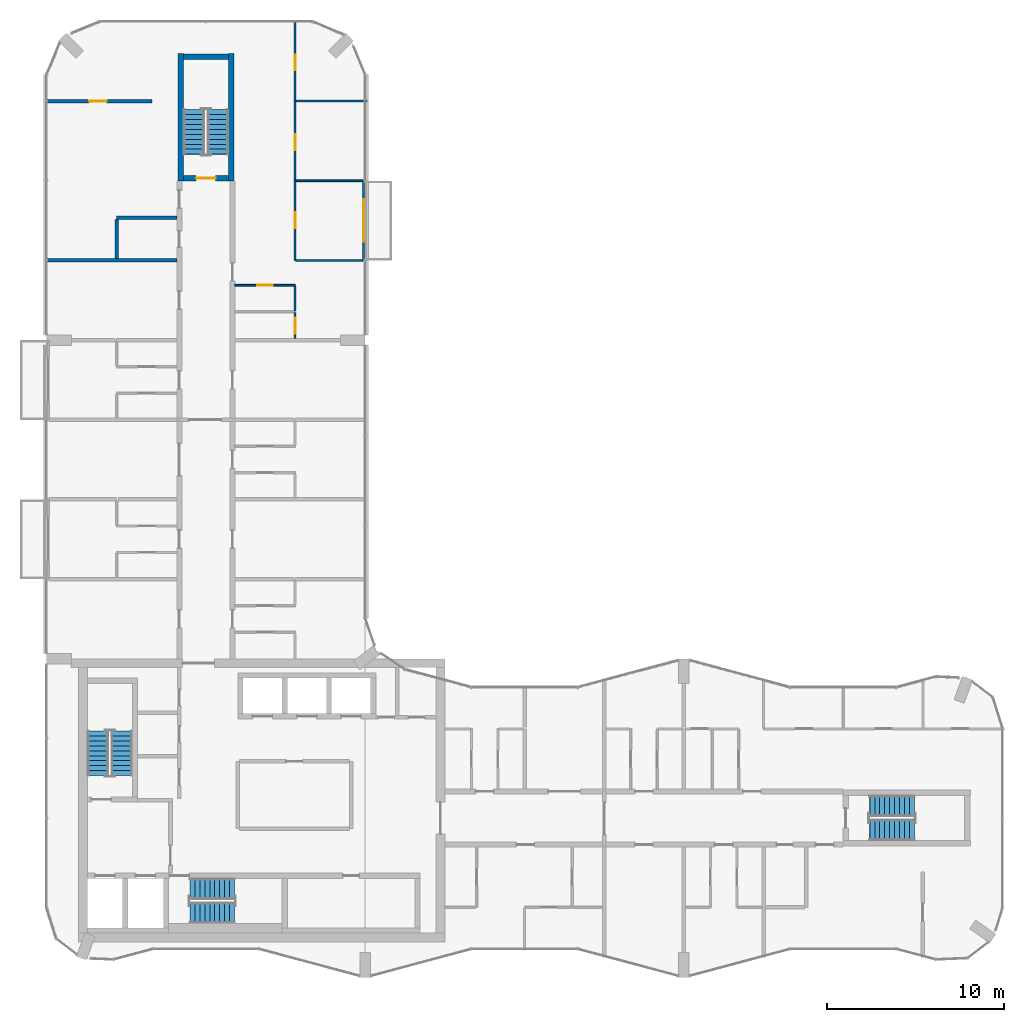
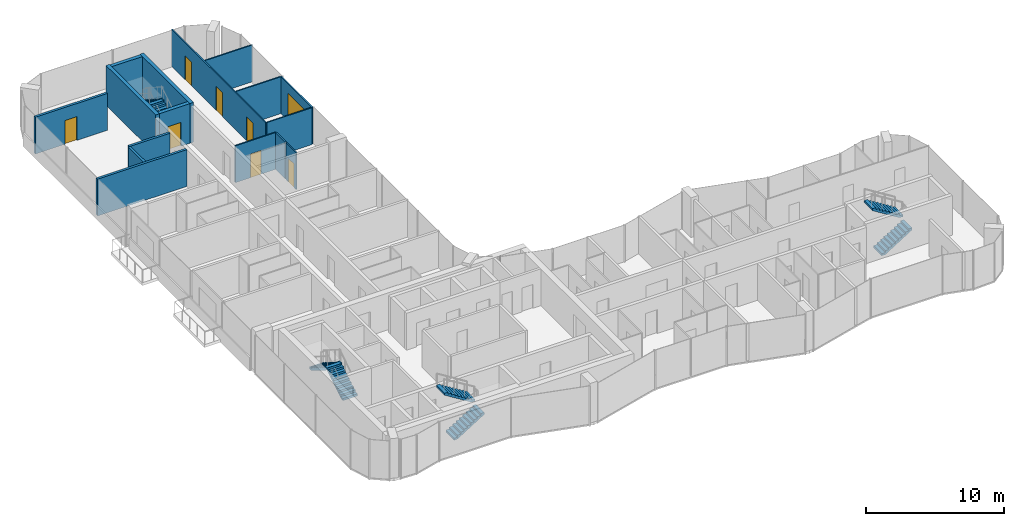
# One storey, part 13 of 16: 16 walls, 8 doors, 8 stair flights, 8 openings, 4 elements without a shape of their own.
"""IFC4 building model written with IfcOpenShell, lengths in metres."""

from ifc_helpers import new_model, si_unit, direction, frame, frame_2d, origin, place, context, subcontext, project, spatial, polyline, rectangle, outline, extrude, material, layer, layer_set, type_object, element, fill, aggregate, save


model = new_model("IFC4")

# Units and contexts
model_context = context("Model", 3, precision=1e-05, world=origin(), true_north=direction((0.0, 1.0)))
body_context = subcontext(model_context, "Body", "Model", "MODEL_VIEW")
ifc_project = project(units=[si_unit("LENGTHUNIT", "METRE"), si_unit("AREAUNIT", "SQUARE_METRE"), si_unit("VOLUMEUNIT", "CUBIC_METRE"), si_unit("PLANEANGLEUNIT", "RADIAN"), si_unit("MASSUNIT", "GRAM", prefix="KILO")], contexts=[model_context])

# Site, building, storey
site_placement = place(None, origin())
site = spatial("IfcSite", under=ifc_project, at=site_placement, CompositionType="ELEMENT")
building_placement = place(site_placement, origin())
building = spatial("IfcBuilding", under=site, at=building_placement, Name="Plateau Cross Towers", CompositionType="ELEMENT")
storey_placement = place(building_placement, frame((0.0, 0.0, 218.89990234375)))
storey = spatial("IfcBuildingStorey", under=building, at=storey_placement, Name="L57", CompositionType="ELEMENT", Elevation=218.89990234375)

# Wall, opening, door
ifc_material_1 = material(Name="Aluminium framed glazing", Category="aluminium")
ifc_layer_1 = layer(ifc_material_1, 0.10009765625)
ifc_layer_set_1 = layer_set([ifc_layer_1], Name="Aluminium framed glazing")
wall_type_1 = type_object("IfcWallType", Name="Balcony screen wall 100", PredefinedType="STANDARD", material=ifc_layer_set_1)
wall_1_placement = place(storey_placement, frame((17.89990234375, 45.0, 0.0), z_axis=(0.0, 0.0, 1.0), x_axis=(0.0, -1.0, 0.0)))
wall_1 = element("IfcWall", 1, at=wall_1_placement, inside=storey, type_object=wall_type_1, Name="Balcony screen wall A-BAL-L57-03", PredefinedType="STANDARD", context=body_context, shape_type="SweptSolid", body=[
    extrude(rectangle(XDim=4.5, YDim=0.10009765625, at=frame_2d((2.25, 0.0))), origin(), (0.0, 0.0, 1.0), 3.25),
])
opening_1_placement = place(wall_1_placement, frame((1.050048828125, 0.0, 0.0)))
opening_1 = element("IfcOpeningElement", 2, at=opening_1_placement, cuts=wall_1, Name="Opening D-B24", PredefinedType="OPENING", context=body_context, shape_type="SweptSolid", body=[
    extrude(rectangle(XDim=2.39990234375, YDim=2.39990234375, at=frame_2d((1.199951171875, 1.199951171875))), frame((0.0, 0.06005859375, 0.0), z_axis=(0.0, -1.0, 0.0), x_axis=(1.0, 0.0, 0.0)), (0.0, 0.0, 1.0), 0.1201171875),
])
ifc_material_2 = material(Name="Aluminium frame, double glazing", Category="aluminium")
door_type_1 = type_object("IfcDoorType", Name="Balcony sliding door 2400", OperationType="NOTDEFINED", PredefinedType="DOOR", material=ifc_material_2)
door_1_placement = place(opening_1_placement, origin())
door_1 = element("IfcDoor", 3, at=door_1_placement, inside=storey, type_object=door_type_1, Name="Balcony door A-BAL-L57-03", OperationType="SINGLE_SWING_LEFT", OverallHeight=2.39990234375, OverallWidth=2.39990234375, PredefinedType="DOOR", context=body_context, shape_type="SweptSolid", body=[
    extrude(rectangle(XDim=2.39990234375, YDim=2.39990234375, at=frame_2d((1.199951171875, 1.199951171875))), frame((0.0, 0.02490234375, 0.0), z_axis=(0.0, -1.0, 0.0), x_axis=(1.0, 0.0, 0.0)), (0.0, 0.0, 1.0), 0.050048828125),
])
fill(opening_1, door_1)

ifc_material_3 = material(Name="Gypsum board on steel studs", Category="steel")
ifc_layer_2 = layer(ifc_material_3, 0.10009765625)
ifc_layer_set_2 = layer_set([ifc_layer_2], Name="Gypsum board on steel studs")
wall_type_2 = type_object("IfcWallType", Name="Flat partition 100", PredefinedType="PARTITIONING", material=ifc_layer_set_2)
wall_2_placement = place(storey_placement, frame((14.03759765625, 39.10009765625, 0.0), z_axis=(0.0, 0.0, 1.0), x_axis=(-1.0, 0.0, 0.0)))
wall_2 = element("IfcWall", 4, at=wall_2_placement, inside=storey, type_object=wall_type_2, Name="Partition wall", PredefinedType="PARTITIONING", context=body_context, shape_type="SweptSolid", body=[
    extrude(rectangle(XDim=3.400146484375, YDim=0.10009765625, at=frame_2d((1.7001953125, 0.0))), origin(), (0.0, 0.0, 1.0), 3.25),
])
opening_2_placement = place(wall_2_placement, frame((1.25, 0.0, 0.0)))
opening_2 = element("IfcOpeningElement", 5, at=opening_2_placement, cuts=wall_2, Name="Opening 57-49", PredefinedType="OPENING", context=body_context, shape_type="SweptSolid", body=[
    extrude(rectangle(XDim=0.89990234375, YDim=2.10009765625, at=frame_2d((0.449951171875, 1.050048828125))), frame((0.0, 0.06005859375, 0.0), z_axis=(0.0, -1.0, 0.0), x_axis=(1.0, 0.0, 0.0)), (0.0, 0.0, 1.0), 0.1201171875),
])
ifc_material_4 = material(Name="Timber leaf", Category="wood")
door_type_2 = type_object("IfcDoorType", Name="Flat room door 900", OperationType="NOTDEFINED", PredefinedType="DOOR", material=ifc_material_4)
door_2_placement = place(opening_2_placement, origin())
door_2 = element("IfcDoor", 6, at=door_2_placement, inside=storey, type_object=door_type_2, Name="Door 57-49", OperationType="SINGLE_SWING_LEFT", OverallHeight=2.10009765625, OverallWidth=0.89990234375, PredefinedType="DOOR", context=body_context, shape_type="SweptSolid", body=[
    extrude(rectangle(XDim=0.89990234375, YDim=2.10009765625, at=frame_2d((0.449951171875, 1.050048828125))), frame((0.0, 0.02490234375, 0.0), z_axis=(0.0, -1.0, 0.0), x_axis=(1.0, 0.0, 0.0)), (0.0, 0.0, 1.0), 0.050048828125),
])
fill(opening_2, door_2)

# Walls
for number, where, z_axis, x_axis, name in (
    (7, (14.08740234375, 40.5, 0.0), (0.0, 0.0, 1.0), (1.0, 0.0, 0.0), "Partition wall"),
    (8, (17.85009765625, 45.0, 0.0), (0.0, 0.0, 1.0), (-1.0, 0.0, 0.0), "Partition wall"),
):
    element("IfcWall", number, at=place(storey_placement, frame(where, z_axis=z_axis, x_axis=x_axis)), inside=storey, type_object=wall_type_2, Name=name, PredefinedType="PARTITIONING", context=body_context, shape_type="SweptSolid", body=[
        extrude(rectangle(XDim=3.7626953125, YDim=0.10009765625, at=frame_2d((1.88134765625, 0.0))), origin(), (0.0, 0.0, 1.0), 3.25),
    ])
wall_3_placement = place(storey_placement, frame((18.080078125, 49.5, 0.0), z_axis=(0.0, 0.0, 1.0), x_axis=(-1.0, 0.0, 0.0)))
element("IfcWall", 9, at=wall_3_placement, inside=storey, type_object=wall_type_2, Name="Partition wall", PredefinedType="PARTITIONING", context=body_context, shape_type="SweptSolid", body=[
    extrude(rectangle(XDim=3.99267578125, YDim=0.10009765625, at=frame_2d((1.996337890625, 0.0))), origin(), (0.0, 0.0, 1.0), 3.25),
])

# Wall, openings, doors
wall_4_placement = place(storey_placement, frame((14.03759765625, 54.080078125, 0.0), z_axis=(0.0, 0.0, 1.0), x_axis=(0.0, -1.0, 0.0)))
wall_4 = element("IfcWall", 10, at=wall_4_placement, inside=storey, type_object=wall_type_2, Name="Partition wall", PredefinedType="PARTITIONING", context=body_context, shape_type="SweptSolid", body=[
    extrude(rectangle(XDim=13.580078125, YDim=0.10009765625, at=frame_2d((6.7900390625, 0.0))), origin(), (0.0, 0.0, 1.0), 3.25),
])
opening_3_placement = place(wall_4_placement, frame((10.85009765625, 0.0, 0.0)))
opening_3 = element("IfcOpeningElement", 11, at=opening_3_placement, cuts=wall_4, Name="Opening 57-50", PredefinedType="OPENING", context=body_context, shape_type="SweptSolid", body=[
    extrude(rectangle(XDim=0.89990234375, YDim=2.10009765625, at=frame_2d((0.449951171875, 1.050048828125))), frame((0.0, 0.06005859375, 0.0), z_axis=(0.0, -1.0, 0.0), x_axis=(1.0, 0.0, 0.0)), (0.0, 0.0, 1.0), 0.1201171875),
])
opening_4_placement = place(wall_4_placement, frame((6.449951171875, 0.0, 0.0)))
opening_4 = element("IfcOpeningElement", 12, at=opening_4_placement, cuts=wall_4, Name="Opening 57-51", PredefinedType="OPENING", context=body_context, shape_type="SweptSolid", body=[
    extrude(rectangle(XDim=0.89990234375, YDim=2.10009765625, at=frame_2d((0.449951171875, 1.050048828125))), frame((0.0, 0.06005859375, 0.0), z_axis=(0.0, -1.0, 0.0), x_axis=(1.0, 0.0, 0.0)), (0.0, 0.0, 1.0), 0.1201171875),
])
opening_5_placement = place(wall_4_placement, frame((1.949951171875, 0.0, 0.0)))
opening_5 = element("IfcOpeningElement", 13, at=opening_5_placement, cuts=wall_4, Name="Opening 57-52", PredefinedType="OPENING", context=body_context, shape_type="SweptSolid", body=[
    extrude(rectangle(XDim=0.89990234375, YDim=2.10009765625, at=frame_2d((0.449951171875, 1.050048828125))), frame((0.0, 0.06005859375, 0.0), z_axis=(0.0, -1.0, 0.0), x_axis=(1.0, 0.0, 0.0)), (0.0, 0.0, 1.0), 0.1201171875),
])
door_3_placement = place(opening_3_placement, origin())
door_3 = element("IfcDoor", 14, at=door_3_placement, inside=storey, type_object=door_type_2, Name="Door 57-50", OperationType="SINGLE_SWING_RIGHT", OverallHeight=2.10009765625, OverallWidth=0.89990234375, PredefinedType="DOOR", context=body_context, shape_type="SweptSolid", body=[
    extrude(rectangle(XDim=0.89990234375, YDim=2.10009765625, at=frame_2d((0.449951171875, 1.050048828125))), frame((0.0, 0.02490234375, 0.0), z_axis=(0.0, -1.0, 0.0), x_axis=(1.0, 0.0, 0.0)), (0.0, 0.0, 1.0), 0.050048828125),
])
fill(opening_3, door_3)
door_4_placement = place(opening_4_placement, origin())
door_4 = element("IfcDoor", 15, at=door_4_placement, inside=storey, type_object=door_type_2, Name="Door 57-51", OperationType="SINGLE_SWING_RIGHT", OverallHeight=2.10009765625, OverallWidth=0.89990234375, PredefinedType="DOOR", context=body_context, shape_type="SweptSolid", body=[
    extrude(rectangle(XDim=0.89990234375, YDim=2.10009765625, at=frame_2d((0.449951171875, 1.050048828125))), frame((0.0, 0.02490234375, 0.0), z_axis=(0.0, -1.0, 0.0), x_axis=(1.0, 0.0, 0.0)), (0.0, 0.0, 1.0), 0.050048828125),
])
fill(opening_4, door_4)
door_5_placement = place(opening_5_placement, origin())
door_5 = element("IfcDoor", 16, at=door_5_placement, inside=storey, type_object=door_type_2, Name="Door 57-52", OperationType="SINGLE_SWING_LEFT", OverallHeight=2.10009765625, OverallWidth=0.89990234375, PredefinedType="DOOR", context=body_context, shape_type="SweptSolid", body=[
    extrude(rectangle(XDim=0.89990234375, YDim=2.10009765625, at=frame_2d((0.449951171875, 1.050048828125))), frame((0.0, 0.02490234375, 0.0), z_axis=(0.0, -1.0, 0.0), x_axis=(1.0, 0.0, 0.0)), (0.0, 0.0, 1.0), 0.050048828125),
])
fill(opening_5, door_5)

# Wall, opening, door
wall_5_placement = place(storey_placement, frame((14.03759765625, 36.10009765625, 0.0), z_axis=(0.0, 0.0, 1.0), x_axis=(0.0, 1.0, 0.0)))
wall_5 = element("IfcWall", 17, at=wall_5_placement, inside=storey, type_object=wall_type_2, Name="Partition wall", PredefinedType="PARTITIONING", context=body_context, shape_type="SweptSolid", body=[
    extrude(rectangle(XDim=1.449951171875, YDim=0.10009765625, at=frame_2d((0.72509765625, 0.0))), origin(), (0.0, 0.0, 1.0), 3.25),
])
opening_6_placement = place(wall_5_placement, frame((0.25, 0.0, 0.0)))
opening_6 = element("IfcOpeningElement", 18, at=opening_6_placement, cuts=wall_5, Name="Opening 57-48", PredefinedType="OPENING", context=body_context, shape_type="SweptSolid", body=[
    extrude(rectangle(XDim=0.89990234375, YDim=2.10009765625, at=frame_2d((0.449951171875, 1.050048828125))), frame((0.0, 0.06005859375, 0.0), z_axis=(0.0, -1.0, 0.0), x_axis=(1.0, 0.0, 0.0)), (0.0, 0.0, 1.0), 0.1201171875),
])
door_6_placement = place(opening_6_placement, origin())
door_6 = element("IfcDoor", 19, at=door_6_placement, inside=storey, type_object=door_type_2, Name="Door 57-48", OperationType="SINGLE_SWING_LEFT", OverallHeight=2.10009765625, OverallWidth=0.89990234375, PredefinedType="DOOR", context=body_context, shape_type="SweptSolid", body=[
    extrude(rectangle(XDim=0.89990234375, YDim=2.10009765625, at=frame_2d((0.449951171875, 1.050048828125))), frame((0.0, 0.02490234375, 0.0), z_axis=(0.0, -1.0, 0.0), x_axis=(1.0, 0.0, 0.0)), (0.0, 0.0, 1.0), 0.050048828125),
])
fill(opening_6, door_6)

# Walls
wall_6_placement = place(storey_placement, frame((14.03759765625, 37.64990234375, 0.0), z_axis=(0.0, 0.0, 1.0), x_axis=(0.0, 1.0, 0.0)))
element("IfcWall", 20, at=wall_6_placement, inside=storey, type_object=wall_type_2, Name="Partition wall", PredefinedType="PARTITIONING", context=body_context, shape_type="SweptSolid", body=[
    extrude(rectangle(XDim=1.400146484375, YDim=0.10009765625, at=frame_2d((0.7001953125, 0.0))), origin(), (0.0, 0.0, 1.0), 3.25),
])
ifc_material_5 = material(Name="Gypsum board on steel studs, two layers each side", Category="steel")
ifc_layer_3 = layer(ifc_material_5, 0.199951171875)
ifc_layer_set_3 = layer_set([ifc_layer_3], Name="Gypsum board on steel studs, two layers each side")
wall_type_3 = type_object("IfcWallType", Name="Flat party wall 200", PredefinedType="PARTITIONING", material=ifc_layer_set_3)
wall_7_placement = place(storey_placement, frame((7.362548828125, 40.5, 0.0), z_axis=(0.0, 0.0, 1.0), x_axis=(-1.0, 0.0, 0.0)))
element("IfcWall", 21, at=wall_7_placement, inside=storey, type_object=wall_type_3, Name="Party wall", PredefinedType="PARTITIONING", context=body_context, shape_type="SweptSolid", body=[
    extrude(rectangle(XDim=7.442626953125, YDim=0.199951171875, at=frame_2d((3.72119140625, 0.0))), origin(), (0.0, 0.0, 1.0), 3.25),
])
wall_8_placement = place(storey_placement, frame((7.362548828125, 42.89990234375, 0.0), z_axis=(0.0, 0.0, 1.0), x_axis=(-1.0, 0.0, 0.0)))
element("IfcWall", 22, at=wall_8_placement, inside=storey, type_object=wall_type_3, Name="Party wall", PredefinedType="PARTITIONING", context=body_context, shape_type="SweptSolid", body=[
    extrude(rectangle(XDim=3.400146484375, YDim=0.199951171875, at=frame_2d((1.7001953125, 0.0))), origin(), (0.0, 0.0, 1.0), 3.25),
])

# Wall, opening, door
wall_9_placement = place(storey_placement, frame((5.949951171875, 49.5, 0.0), z_axis=(0.0, 0.0, 1.0), x_axis=(-1.0, 0.0, 0.0)))
wall_9 = element("IfcWall", 23, at=wall_9_placement, inside=storey, type_object=wall_type_3, Name="Party wall", PredefinedType="PARTITIONING", context=body_context, shape_type="SweptSolid", body=[
    extrude(rectangle(XDim=6.030029296875, YDim=0.199951171875, at=frame_2d((3.01513671875, 0.0))), origin(), (0.0, 0.0, 1.0), 3.25),
])
opening_7_placement = place(wall_9_placement, frame((2.550048828125, 0.0, 0.0)))
opening_7 = element("IfcOpeningElement", 24, at=opening_7_placement, cuts=wall_9, Name="Opening 57-25", PredefinedType="OPENING", context=body_context, shape_type="SweptSolid", body=[
    extrude(rectangle(XDim=1.0, YDim=2.10009765625, at=frame_2d((0.5, 1.050048828125))), frame((0.0, 0.10986328125, 0.0), z_axis=(0.0, -1.0, 0.0), x_axis=(1.0, 0.0, 0.0)), (0.0, 0.0, 1.0), 0.219970703125),
])
ifc_material_6 = material(Name="Timber, fire-resisting leaf", Category="wood")
door_type_3 = type_object("IfcDoorType", Name="Flat entrance door 1000", OperationType="NOTDEFINED", PredefinedType="DOOR", material=ifc_material_6)
door_7_placement = place(opening_7_placement, origin())
door_7 = element("IfcDoor", 25, at=door_7_placement, inside=storey, type_object=door_type_3, Name="Door 57-25", OperationType="SINGLE_SWING_RIGHT", OverallHeight=2.10009765625, OverallWidth=1.0, PredefinedType="DOOR", context=body_context, shape_type="SweptSolid", body=[
    extrude(rectangle(XDim=1.0, YDim=2.10009765625, at=frame_2d((0.5, 1.050048828125))), frame((0.0, 0.02490234375, 0.0), z_axis=(0.0, -1.0, 0.0), x_axis=(1.0, 0.0, 0.0)), (0.0, 0.0, 1.0), 0.050048828125),
])
fill(opening_7, door_7)

# Wall
wall_10_placement = place(storey_placement, frame((3.96240234375, 42.800048828125, 0.0), z_axis=(0.0, 0.0, 1.0), x_axis=(0.0, -1.0, 0.0)))
element("IfcWall", 26, at=wall_10_placement, inside=storey, type_object=wall_type_3, Name="Party wall", PredefinedType="PARTITIONING", context=body_context, shape_type="SweptSolid", body=[
    extrude(rectangle(XDim=2.199951171875, YDim=0.199951171875, at=frame_2d((1.10009765625, 0.0))), origin(), (0.0, 0.0, 1.0), 3.25),
])

# Wall, opening, door
ifc_material_7 = material(Name="Concrete C60/75", Category="concrete")
ifc_layer_4 = layer(ifc_material_7, 0.300048828125)
ifc_layer_set_4 = layer_set([ifc_layer_4], Name="Concrete C60/75")
wall_type_4 = type_object("IfcWallType", Name="Stair tower wall 300", PredefinedType="SHEAR", material=ifc_layer_set_4)
wall_11_placement = place(storey_placement, frame((7.72509765625, 45.14990234375, 0.0), z_axis=(0.0, 0.0, 1.0), x_axis=(1.0, 0.0, 0.0)))
wall_11 = element("IfcWall", 27, at=wall_11_placement, inside=storey, type_object=wall_type_4, Name="A-end-N-S@L57", PredefinedType="SHEAR", context=body_context, shape_type="SweptSolid", body=[
    extrude(rectangle(XDim=2.5498046875, YDim=0.300048828125, at=frame_2d((1.27490234375, 0.0))), origin(), (0.0, 0.0, 1.0), 3.5),
])
opening_8_placement = place(wall_11_placement, frame((0.72509765625, 0.0, 0.0)))
opening_8 = element("IfcOpeningElement", 28, at=opening_8_placement, cuts=wall_11, Name="Opening SD", PredefinedType="OPENING", context=body_context, shape_type="SweptSolid", body=[
    extrude(rectangle(XDim=1.10009765625, YDim=2.10009765625, at=frame_2d((0.550048828125, 1.050048828125))), frame((0.0, 0.159912109375, 0.0), z_axis=(0.0, -1.0, 0.0), x_axis=(1.0, 0.0, 0.0)), (0.0, 0.0, 1.0), 0.320068359375),
])
ifc_material_8 = material(Name="Steel, fire-resisting leaf", Category="steel")
door_type_4 = type_object("IfcDoorType", Name="Stair door 1100", OperationType="NOTDEFINED", PredefinedType="DOOR", material=ifc_material_8)
door_8_placement = place(opening_8_placement, origin())
door_8 = element("IfcDoor", 29, at=door_8_placement, inside=storey, type_object=door_type_4, Name="Stair door SD", OperationType="SINGLE_SWING_LEFT", OverallHeight=2.10009765625, OverallWidth=1.10009765625, PredefinedType="DOOR", context=body_context, shape_type="SweptSolid", body=[
    extrude(rectangle(XDim=1.10009765625, YDim=2.10009765625, at=frame_2d((0.550048828125, 1.050048828125))), frame((0.0, 0.02490234375, 0.0), z_axis=(0.0, -1.0, 0.0), x_axis=(1.0, 0.0, 0.0)), (0.0, 0.0, 1.0), 0.050048828125),
])
fill(opening_8, door_8)

# Walls
wall_12_placement = place(storey_placement, frame((7.72509765625, 52.0, 0.0), z_axis=(0.0, 0.0, 1.0), x_axis=(1.0, 0.0, 0.0)))
element("IfcWall", 30, at=wall_12_placement, inside=storey, type_object=wall_type_4, Name="A-end-N-N@L57", PredefinedType="SHEAR", context=body_context, shape_type="SweptSolid", body=[
    extrude(rectangle(XDim=2.5498046875, YDim=0.300048828125, at=frame_2d((1.27490234375, 0.0))), origin(), (0.0, 0.0, 1.0), 3.5),
])
for number, where, z_axis, x_axis, name in (
    (31, (7.574951171875, 45.0, 0.0), (0.0, 0.0, 1.0), (0.0, 1.0, 0.0), "A-end-N-W@L57"),
    (32, (10.425048828125, 45.0, 0.0), (0.0, 0.0, 1.0), (0.0, 1.0, 0.0), "A-end-N-E@L57"),
):
    element("IfcWall", number, at=place(storey_placement, frame(where, z_axis=z_axis, x_axis=x_axis)), inside=storey, type_object=wall_type_4, Name=name, PredefinedType="SHEAR", context=body_context, shape_type="SweptSolid", body=[
        extrude(rectangle(XDim=7.199951171875, YDim=0.300048828125, at=frame_2d((3.60009765625, 0.0))), origin(), (0.0, 0.0, 1.0), 3.5),
    ])

# Stair, stair flights
ifc_material_9 = material(Name="Concrete C40/50", Category="concrete")
stair_type = type_object("IfcStairType", Name="ST-TWR", PredefinedType="HALF_TURN_STAIR", material=ifc_material_9)
stair_1_placement = place(storey_placement, origin())
stair_1 = element("IfcStair", 33, at=stair_1_placement, inside=storey, type_object=stair_type, Name="L57 Protected Exit Stair ST-1", PredefinedType="HALF_TURN_STAIR")
stair_flight_type = type_object("IfcStairFlightType", Name="SFL-RC", PredefinedType="STRAIGHT", material=ifc_material_9)
stair_flight_1_placement = place(storey_placement, frame((4.25, 11.39990234375, 0.0), z_axis=(0.0, 0.0, 1.0), x_axis=(0.0, 1.0, 0.0)))
stair_flight_1 = element("IfcStairFlight", 34, at=stair_flight_1_placement, type_object=stair_flight_type, Name="ST-1 flight 1", NumberOfRisers=10, NumberOfTreads=9, PredefinedType="STRAIGHT", RiserHeight=0.175, TreadLength=0.28, context=body_context, shape_type="SweptSolid", body=[
    extrude(outline(polyline([(-0.0048828125, -0.010009765625), (-0.0048828125, 0.0), (0.0, 0.0), (0.0, 0.175048828125), (0.280029296875, 0.175048828125), (0.280029296875, 0.35009765625), (0.56005859375, 0.35009765625), (0.56005859375, 0.52490234375), (0.840087890625, 0.52490234375), (0.840087890625, 0.699951171875), (1.1201171875, 0.699951171875), (1.1201171875, 0.875), (1.39990234375, 0.875), (1.39990234375, 1.050048828125), (1.679931640625, 1.050048828125), (1.679931640625, 1.22509765625), (1.9599609375, 1.22509765625), (1.9599609375, 1.39990234375), (2.239990234375, 1.39990234375), (2.239990234375, 1.574951171875), (2.52001953125, 1.574951171875), (2.52490234375, 1.56494140625), (2.52490234375, 1.398193359375), (2.52001953125, 1.398193359375), (0.28271484375, 0.0), (0.02001953125, 0.0), (0.02001953125, -0.010009765625), (-0.0048828125, -0.010009765625)])), frame((0.0, 0.60009765625, 0.0), z_axis=(0.0, -1.0, 0.0), x_axis=(1.0, 0.0, 0.0)), (0.0, 0.0, 1.0), 1.199951171875),
])
stair_flight_2_placement = place(storey_placement, frame((2.89990234375, 13.919921875, 1.75), z_axis=(0.0, 0.0, 1.0), x_axis=(0.0, -1.0, 0.0)))
stair_flight_2 = element("IfcStairFlight", 35, at=stair_flight_2_placement, type_object=stair_flight_type, Name="ST-1 flight 2", NumberOfRisers=10, NumberOfTreads=9, PredefinedType="STRAIGHT", RiserHeight=0.175, TreadLength=0.28, context=body_context, shape_type="SweptSolid", body=[
    extrude(outline(polyline([(-0.0048828125, -0.010009765625), (-0.0048828125, 0.0), (0.0, 0.0), (0.0, 0.175048828125), (0.280029296875, 0.175048828125), (0.280029296875, 0.35009765625), (0.56005859375, 0.35009765625), (0.56005859375, 0.52490234375), (0.840087890625, 0.52490234375), (0.840087890625, 0.699951171875), (1.1201171875, 0.699951171875), (1.1201171875, 0.875), (1.39990234375, 0.875), (1.39990234375, 1.050048828125), (1.679931640625, 1.050048828125), (1.679931640625, 1.22509765625), (1.9599609375, 1.22509765625), (1.9599609375, 1.39990234375), (2.239990234375, 1.39990234375), (2.239990234375, 1.574951171875), (2.52001953125, 1.574951171875), (2.52490234375, 1.56494140625), (2.52490234375, 1.398193359375), (2.52001953125, 1.398193359375), (0.28271484375, 0.0), (0.02001953125, 0.0), (0.02001953125, -0.010009765625), (-0.0048828125, -0.010009765625)])), frame((0.0, 0.60009765625, 0.0), z_axis=(0.0, -1.0, 0.0), x_axis=(1.0, 0.0, 0.0)), (0.0, 0.0, 1.0), 1.199951171875),
])
aggregate(stair_1, [stair_flight_1, stair_flight_2])

stair_2_placement = place(storey_placement, origin())
stair_2 = element("IfcStair", 36, at=stair_2_placement, inside=storey, type_object=stair_type, Name="L57 Protected Exit Stair ST-2", PredefinedType="HALF_TURN_STAIR")
stair_flight_3_placement = place(storey_placement, frame((8.10009765625, 3.64990234375, 0.0), z_axis=(0.0, 0.0, 1.0), x_axis=(1.0, 0.0, 0.0)))
stair_flight_3 = element("IfcStairFlight", 37, at=stair_flight_3_placement, type_object=stair_flight_type, Name="ST-2 flight 1", NumberOfRisers=10, NumberOfTreads=9, PredefinedType="STRAIGHT", RiserHeight=0.175, TreadLength=0.28, context=body_context, shape_type="SweptSolid", body=[
    extrude(outline(polyline([(-0.0048828125, -0.010009765625), (-0.0048828125, 0.0), (0.0, 0.0), (0.0, 0.175048828125), (0.280029296875, 0.175048828125), (0.280029296875, 0.35009765625), (0.56005859375, 0.35009765625), (0.56005859375, 0.52490234375), (0.840087890625, 0.52490234375), (0.840087890625, 0.699951171875), (1.1201171875, 0.699951171875), (1.1201171875, 0.875), (1.39990234375, 0.875), (1.39990234375, 1.050048828125), (1.679931640625, 1.050048828125), (1.679931640625, 1.22509765625), (1.9599609375, 1.22509765625), (1.9599609375, 1.39990234375), (2.239990234375, 1.39990234375), (2.239990234375, 1.574951171875), (2.52001953125, 1.574951171875), (2.52490234375, 1.56494140625), (2.52490234375, 1.398193359375), (2.52001953125, 1.398193359375), (0.28271484375, 0.0), (0.02001953125, 0.0), (0.02001953125, -0.010009765625), (-0.0048828125, -0.010009765625)])), frame((0.0, 0.60009765625, 0.0), z_axis=(0.0, -1.0, 0.0), x_axis=(1.0, 0.0, 0.0)), (0.0, 0.0, 1.0), 1.199951171875),
])
stair_flight_4_placement = place(storey_placement, frame((10.6201171875, 5.0, 1.75), z_axis=(0.0, 0.0, 1.0), x_axis=(-1.0, 0.0, 0.0)))
stair_flight_4 = element("IfcStairFlight", 38, at=stair_flight_4_placement, type_object=stair_flight_type, Name="ST-2 flight 2", NumberOfRisers=10, NumberOfTreads=9, PredefinedType="STRAIGHT", RiserHeight=0.175, TreadLength=0.28, context=body_context, shape_type="SweptSolid", body=[
    extrude(outline(polyline([(-0.0048828125, -0.010009765625), (-0.0048828125, 0.0), (0.0, 0.0), (0.0, 0.175048828125), (0.280029296875, 0.175048828125), (0.280029296875, 0.35009765625), (0.56005859375, 0.35009765625), (0.56005859375, 0.52490234375), (0.840087890625, 0.52490234375), (0.840087890625, 0.699951171875), (1.1201171875, 0.699951171875), (1.1201171875, 0.875), (1.39990234375, 0.875), (1.39990234375, 1.050048828125), (1.679931640625, 1.050048828125), (1.679931640625, 1.22509765625), (1.9599609375, 1.22509765625), (1.9599609375, 1.39990234375), (2.239990234375, 1.39990234375), (2.239990234375, 1.574951171875), (2.52001953125, 1.574951171875), (2.52490234375, 1.56494140625), (2.52490234375, 1.398193359375), (2.52001953125, 1.398193359375), (0.28271484375, 0.0), (0.02001953125, 0.0), (0.02001953125, -0.010009765625), (-0.0048828125, -0.010009765625)])), frame((0.0, 0.60009765625, 0.0), z_axis=(0.0, -1.0, 0.0), x_axis=(1.0, 0.0, 0.0)), (0.0, 0.0, 1.0), 1.199951171875),
])
aggregate(stair_2, [stair_flight_3, stair_flight_4])

stair_3_placement = place(storey_placement, origin())
stair_3 = element("IfcStair", 39, at=stair_3_placement, inside=storey, type_object=stair_type, Name="L57 Protected Exit Stair E", PredefinedType="HALF_TURN_STAIR")
stair_flight_5_placement = place(storey_placement, frame((46.5, 8.324951171875, 0.0), z_axis=(0.0, 0.0, 1.0), x_axis=(1.0, 0.0, 0.0)))
stair_flight_5 = element("IfcStairFlight", 40, at=stair_flight_5_placement, type_object=stair_flight_type, Name="ES-E flight 1", NumberOfRisers=10, NumberOfTreads=9, PredefinedType="STRAIGHT", RiserHeight=0.175, TreadLength=0.28, context=body_context, shape_type="SweptSolid", body=[
    extrude(outline(polyline([(-0.0048828125, -0.010009765625), (-0.0048828125, 0.0), (0.0, 0.0), (0.0, 0.175048828125), (0.280029296875, 0.175048828125), (0.280029296875, 0.35009765625), (0.56005859375, 0.35009765625), (0.56005859375, 0.52490234375), (0.840087890625, 0.52490234375), (0.840087890625, 0.699951171875), (1.1201171875, 0.699951171875), (1.1201171875, 0.875), (1.39990234375, 0.875), (1.39990234375, 1.050048828125), (1.679931640625, 1.050048828125), (1.679931640625, 1.22509765625), (1.9599609375, 1.22509765625), (1.9599609375, 1.39990234375), (2.239990234375, 1.39990234375), (2.239990234375, 1.574951171875), (2.52001953125, 1.574951171875), (2.52490234375, 1.56494140625), (2.52490234375, 1.398193359375), (2.52001953125, 1.398193359375), (0.28271484375, 0.0), (0.02001953125, 0.0), (0.02001953125, -0.010009765625), (-0.0048828125, -0.010009765625)])), frame((0.0, 0.60009765625, 0.0), z_axis=(0.0, -1.0, 0.0), x_axis=(1.0, 0.0, 0.0)), (0.0, 0.0, 1.0), 1.199951171875),
])
stair_flight_6_placement = place(storey_placement, frame((49.02001953125, 9.675048828125, 1.75), z_axis=(0.0, 0.0, 1.0), x_axis=(-1.0, 0.0, 0.0)))
stair_flight_6 = element("IfcStairFlight", 41, at=stair_flight_6_placement, type_object=stair_flight_type, Name="ES-E flight 2", NumberOfRisers=10, NumberOfTreads=9, PredefinedType="STRAIGHT", RiserHeight=0.175, TreadLength=0.28, context=body_context, shape_type="SweptSolid", body=[
    extrude(outline(polyline([(-0.0048828125, -0.010009765625), (-0.0048828125, 0.0), (0.0, 0.0), (0.0, 0.175048828125), (0.280029296875, 0.175048828125), (0.280029296875, 0.35009765625), (0.56005859375, 0.35009765625), (0.56005859375, 0.52490234375), (0.840087890625, 0.52490234375), (0.840087890625, 0.699951171875), (1.1201171875, 0.699951171875), (1.1201171875, 0.875), (1.39990234375, 0.875), (1.39990234375, 1.050048828125), (1.679931640625, 1.050048828125), (1.679931640625, 1.22509765625), (1.9599609375, 1.22509765625), (1.9599609375, 1.39990234375), (2.239990234375, 1.39990234375), (2.239990234375, 1.574951171875), (2.52001953125, 1.574951171875), (2.52490234375, 1.56494140625), (2.52490234375, 1.398193359375), (2.52001953125, 1.398193359375), (0.28271484375, 0.0), (0.02001953125, 0.0), (0.02001953125, -0.010009765625), (-0.0048828125, -0.010009765625)])), frame((0.0, 0.60009765625, 0.0), z_axis=(0.0, -1.0, 0.0), x_axis=(1.0, 0.0, 0.0)), (0.0, 0.0, 1.0), 1.199951171875),
])
aggregate(stair_3, [stair_flight_5, stair_flight_6])

stair_4_placement = place(storey_placement, origin())
stair_4 = element("IfcStair", 42, at=stair_4_placement, inside=storey, type_object=stair_type, Name="L57 Protected Exit Stair N", PredefinedType="HALF_TURN_STAIR")
stair_flight_7_placement = place(storey_placement, frame((9.675048828125, 46.5, 0.0), z_axis=(0.0, 0.0, 1.0), x_axis=(0.0, 1.0, 0.0)))
stair_flight_7 = element("IfcStairFlight", 43, at=stair_flight_7_placement, type_object=stair_flight_type, Name="ES-N flight 1", NumberOfRisers=10, NumberOfTreads=9, PredefinedType="STRAIGHT", RiserHeight=0.175, TreadLength=0.28, context=body_context, shape_type="SweptSolid", body=[
    extrude(outline(polyline([(-0.0048828125, -0.010009765625), (-0.0048828125, 0.0), (0.0, 0.0), (0.0, 0.175048828125), (0.280029296875, 0.175048828125), (0.280029296875, 0.35009765625), (0.56005859375, 0.35009765625), (0.56005859375, 0.52490234375), (0.840087890625, 0.52490234375), (0.840087890625, 0.699951171875), (1.1201171875, 0.699951171875), (1.1201171875, 0.875), (1.39990234375, 0.875), (1.39990234375, 1.050048828125), (1.679931640625, 1.050048828125), (1.679931640625, 1.22509765625), (1.9599609375, 1.22509765625), (1.9599609375, 1.39990234375), (2.239990234375, 1.39990234375), (2.239990234375, 1.574951171875), (2.52001953125, 1.574951171875), (2.52490234375, 1.56494140625), (2.52490234375, 1.398193359375), (2.52001953125, 1.398193359375), (0.28271484375, 0.0), (0.02001953125, 0.0), (0.02001953125, -0.010009765625), (-0.0048828125, -0.010009765625)])), frame((0.0, 0.60009765625, 0.0), z_axis=(0.0, -1.0, 0.0), x_axis=(1.0, 0.0, 0.0)), (0.0, 0.0, 1.0), 1.199951171875),
])
stair_flight_8_placement = place(storey_placement, frame((8.324951171875, 49.02001953125, 1.75), z_axis=(0.0, 0.0, 1.0), x_axis=(0.0, -1.0, 0.0)))
stair_flight_8 = element("IfcStairFlight", 44, at=stair_flight_8_placement, type_object=stair_flight_type, Name="ES-N flight 2", NumberOfRisers=10, NumberOfTreads=9, PredefinedType="STRAIGHT", RiserHeight=0.175, TreadLength=0.28, context=body_context, shape_type="SweptSolid", body=[
    extrude(outline(polyline([(-0.0048828125, -0.010009765625), (-0.0048828125, 0.0), (0.0, 0.0), (0.0, 0.175048828125), (0.280029296875, 0.175048828125), (0.280029296875, 0.35009765625), (0.56005859375, 0.35009765625), (0.56005859375, 0.52490234375), (0.840087890625, 0.52490234375), (0.840087890625, 0.699951171875), (1.1201171875, 0.699951171875), (1.1201171875, 0.875), (1.39990234375, 0.875), (1.39990234375, 1.050048828125), (1.679931640625, 1.050048828125), (1.679931640625, 1.22509765625), (1.9599609375, 1.22509765625), (1.9599609375, 1.39990234375), (2.239990234375, 1.39990234375), (2.239990234375, 1.574951171875), (2.52001953125, 1.574951171875), (2.52490234375, 1.56494140625), (2.52490234375, 1.398193359375), (2.52001953125, 1.398193359375), (0.28271484375, 0.0), (0.02001953125, 0.0), (0.02001953125, -0.010009765625), (-0.0048828125, -0.010009765625)])), frame((0.0, 0.60009765625, 0.0), z_axis=(0.0, -1.0, 0.0), x_axis=(1.0, 0.0, 0.0)), (0.0, 0.0, 1.0), 1.199951171875),
])
aggregate(stair_4, [stair_flight_7, stair_flight_8])

save(model, "model.ifc")
